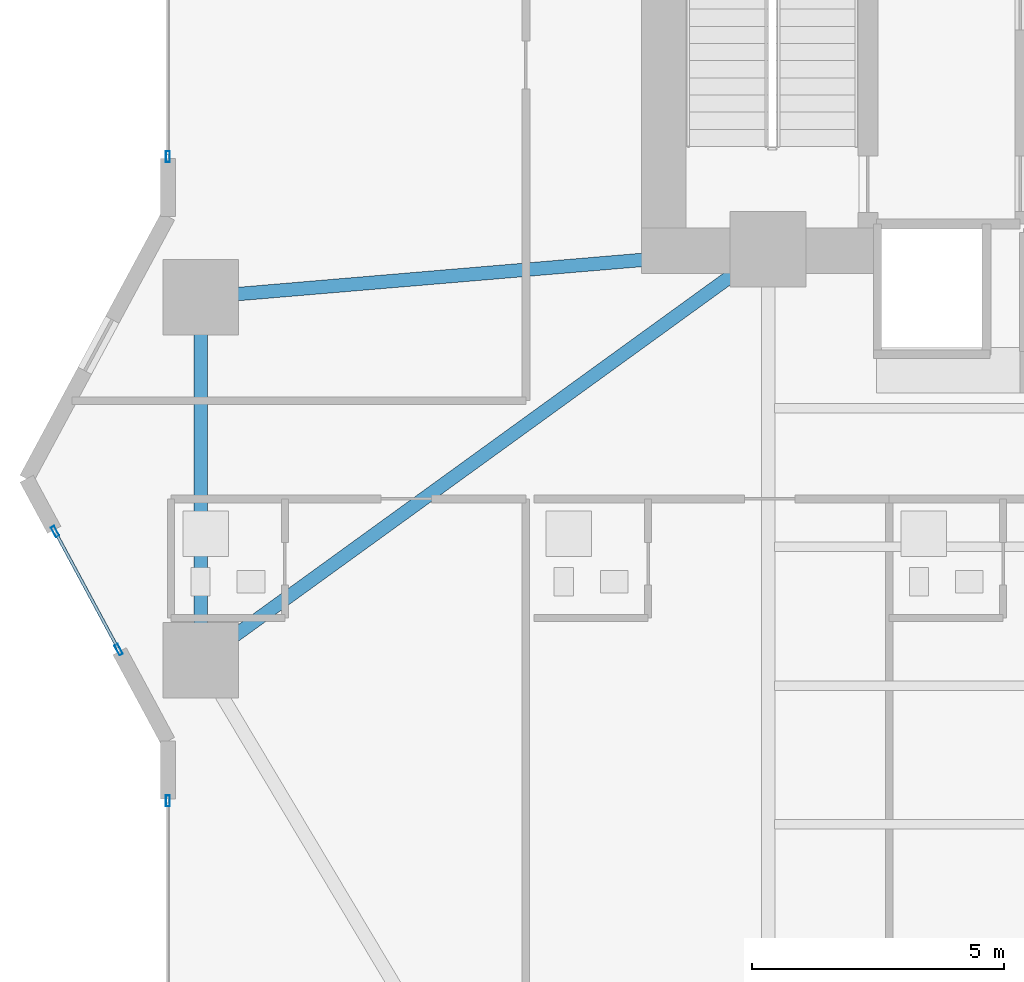
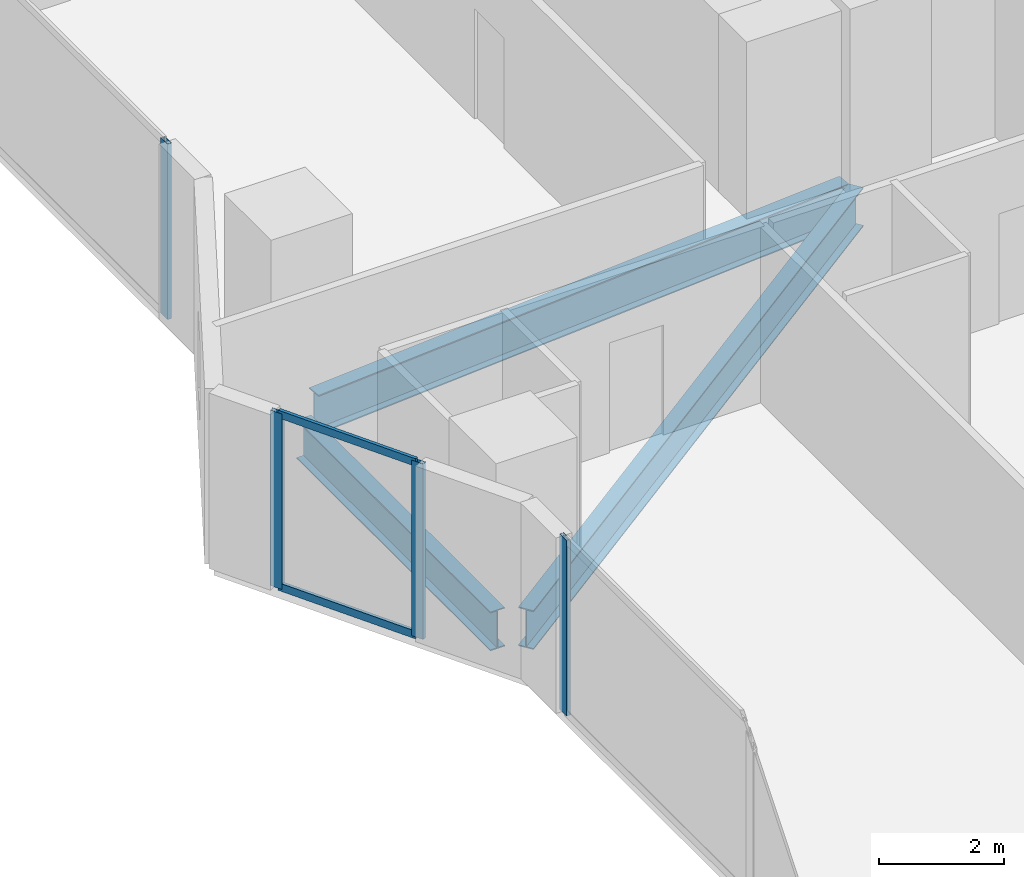
# One storey, part 6 of 28: 6 members, 3 beams, 3 elements without a shape of their own.
"""IFC4 building model written with IfcOpenShell, lengths in metres."""

from ifc_helpers import new_model, si_unit, direction, frame, origin, origin_2d, place, context, subcontext, project, spatial, hollow_rectangle, i_section, extrude, material, layer, layer_set, material_profile, profile_set, type_object, element, aggregate, save


model = new_model("IFC4")

# Units and contexts
model_context = context("Model", 3, precision=1e-05, world=origin(), true_north=direction((0.0, 1.0)))
body_context = subcontext(model_context, "Body", "Model", "MODEL_VIEW")
ifc_project = project(units=[si_unit("LENGTHUNIT", "METRE"), si_unit("AREAUNIT", "SQUARE_METRE"), si_unit("VOLUMEUNIT", "CUBIC_METRE"), si_unit("PLANEANGLEUNIT", "RADIAN"), si_unit("MASSUNIT", "GRAM", prefix="KILO")], contexts=[model_context])

# Site, building, storey
site_placement = place(None, origin())
site = spatial("IfcSite", under=ifc_project, at=site_placement, CompositionType="ELEMENT")
building_placement = place(site_placement, origin())
building = spatial("IfcBuilding", under=site, at=building_placement, Name="Zuhayl Quay Hotel", CompositionType="ELEMENT")
storey_placement = place(building_placement, frame((0.0, 0.0, 56.800048828125)))
storey = spatial("IfcBuildingStorey", under=building, at=storey_placement, Name="L13", CompositionType="ELEMENT", Elevation=56.800048828125)

# Beams
ifc_material_1 = material(Name="Steel ASTM A992 Grade 50", Category="steel")
ifc_material_profile_1 = material_profile(ifc_material_1, i_section(OverallWidth=0.26708984375, OverallDepth=0.761962890625, WebThickness=0.014404296875, FlangeThickness=0.021484375, at=origin_2d()), Name="W30X116")
ifc_profile_set_1 = profile_set([ifc_material_profile_1], Name="Steel ASTM A992 Grade 50")
beam_type = type_object("IfcBeamType", Name="BM_B1_W30X116", PredefinedType="BEAM", material=ifc_profile_set_1)
beam_1_placement = place(storey_placement, frame((-25.050048828125, 3.10009765625, -0.60107421875), z_axis=(0.0, -1.0, 0.0), x_axis=(1.0, 0.0, 0.0)))
element("IfcBeam", 1, at=beam_1_placement, inside=storey, type_object=beam_type, Name="L13 Floor Beam RG_L13_11", PredefinedType="BEAM", context=body_context, shape_type="SweptSolid", body=[
    extrude(i_section(OverallWidth=0.26708984375, OverallDepth=0.761962890625, WebThickness=0.014404296875, FlangeThickness=0.021484375, at=origin_2d()), origin(), (0.0, 0.0, 1.0), 6.2001953125),
])
beam_2_placement = place(storey_placement, frame((-24.64501953125, -3.306640625, -0.60107421875), z_axis=(0.809830244688, 0.586664277751, 0.0), x_axis=(-0.586664277751, 0.809830244688, 0.0)))
element("IfcBeam", 2, at=beam_2_placement, inside=storey, type_object=beam_type, Name="L13 Floor Beam FG_W_L13_1", PredefinedType="BEAM", context=body_context, shape_type="SweptSolid", body=[
    extrude(i_section(OverallWidth=0.26708984375, OverallDepth=0.761962890625, WebThickness=0.014404296875, FlangeThickness=0.021484375, at=origin_2d()), origin(), (0.0, 0.0, 1.0), 12.94189453125),
])
beam_3_placement = place(storey_placement, frame((-24.5517578125, 3.64208984375, -0.60107421875), z_axis=(0.996453145398, 0.084149444594, 0.0), x_axis=(-0.084149444594, 0.996453145398, 0.0)))
element("IfcBeam", 3, at=beam_3_placement, inside=storey, type_object=beam_type, Name="L13 Floor Beam FG_W_L13_2", PredefinedType="BEAM", context=body_context, shape_type="SweptSolid", body=[
    extrude(i_section(OverallWidth=0.26708984375, OverallDepth=0.761962890625, WebThickness=0.014404296875, FlangeThickness=0.021484375, at=origin_2d()), origin(), (0.0, 0.0, 1.0), 10.340087890625),
])

# Curtain wall, member
ifc_material_2 = material(Name="Anodised Aluminium 6063-T6", Category="aluminium")
ifc_layer = layer(ifc_material_2, 0.18994140625, Name="Anodised Aluminium 6063-T6", Category="aluminium")
ifc_layer_set = layer_set([ifc_layer], Name="Anodised Aluminium 6063-T6")
curtain_wall_type = type_object("IfcCurtainWallType", Name="CW_SYS_Z1", PredefinedType="USERDEFINED", material=ifc_layer_set)
curtain_wall_1_placement = place(storey_placement, origin())
curtain_wall_1 = element("IfcCurtainWall", 4, at=curtain_wall_1_placement, inside=storey, type_object=curtain_wall_type, Name="L13 Curtain Wall ENV_L13_E02_CW1", ObjectType="UNITISED CURTAIN WALL", PredefinedType="USERDEFINED")
ifc_material_3 = material(Name="Black-anodised aluminium 6063-T6", Category="aluminium")
ifc_material_profile_2 = material_profile(ifc_material_3, hollow_rectangle(XDim=0.074951171875, YDim=0.219970703125, WallThickness=0.00390625, at=origin_2d()), Name="ALU220X75")
ifc_profile_set_2 = profile_set([ifc_material_profile_2], Name="Black-anodised aluminium 6063-T6")
member_type_1 = type_object("IfcMemberType", Name="MB_CW_MUL_220", PredefinedType="MULLION", material=ifc_profile_set_2)
member_1_placement = place(storey_placement, frame((-25.699951171875, -6.387451171875, 0.0), z_axis=(0.0, 0.0, 1.0), x_axis=(-1.0, 0.0, 0.0)))
member_1 = element("IfcMember", 5, at=member_1_placement, type_object=member_type_1, Name="CW-Z1 mullion 3", PredefinedType="MULLION", context=body_context, shape_type="SweptSolid", body=[
    extrude(hollow_rectangle(XDim=0.074951171875, YDim=0.219970703125, WallThickness=0.00390625, at=origin_2d()), origin(), (0.0, 0.0, 1.0), 3.429931640625),
])
aggregate(curtain_wall_1, [member_1])

# Curtain wall, members
curtain_wall_2_placement = place(storey_placement, origin())
curtain_wall_2 = element("IfcCurtainWall", 6, at=curtain_wall_2_placement, inside=storey, type_object=curtain_wall_type, Name="L13 Curtain Wall ENV_L13_E03_CW1", ObjectType="UNITISED CURTAIN WALL", PredefinedType="USERDEFINED")
member_2_placement = place(storey_placement, frame((-26.67578125, -3.387939453125, 0.0), z_axis=(0.0, 0.0, 1.0), x_axis=(-0.880475795468, -0.474091102632, 0.0)))
member_2 = element("IfcMember", 7, at=member_2_placement, type_object=member_type_1, Name="CW-Z1 mullion 1", PredefinedType="MULLION", context=body_context, shape_type="SweptSolid", body=[
    extrude(hollow_rectangle(XDim=0.074951171875, YDim=0.219970703125, WallThickness=0.00390625, at=origin_2d()), origin(), (0.0, 0.0, 1.0), 3.429931640625),
])
member_3_placement = place(storey_placement, frame((-27.93701171875, -1.04541015625, 0.0), z_axis=(0.0, 0.0, 1.0), x_axis=(-0.880475795468, -0.474091102632, 0.0)))
member_3 = element("IfcMember", 8, at=member_3_placement, type_object=member_type_1, Name="CW-Z1 mullion 2", PredefinedType="MULLION", context=body_context, shape_type="SweptSolid", body=[
    extrude(hollow_rectangle(XDim=0.074951171875, YDim=0.219970703125, WallThickness=0.00390625, at=origin_2d()), origin(), (0.0, 0.0, 1.0), 3.429931640625),
])

# Curtain wall, member
curtain_wall_3_placement = place(storey_placement, origin())
curtain_wall_3 = element("IfcCurtainWall", 9, at=curtain_wall_3_placement, inside=storey, type_object=curtain_wall_type, Name="L13 Curtain Wall ENV_L13_E05_CW1", ObjectType="UNITISED CURTAIN WALL", PredefinedType="USERDEFINED")
member_4_placement = place(storey_placement, frame((-25.699951171875, 6.387451171875, 0.0), z_axis=(0.0, 0.0, 1.0), x_axis=(-1.0, 0.0, 0.0)))
member_4 = element("IfcMember", 10, at=member_4_placement, type_object=member_type_1, Name="CW-Z1 mullion 1", PredefinedType="MULLION", context=body_context, shape_type="SweptSolid", body=[
    extrude(hollow_rectangle(XDim=0.074951171875, YDim=0.219970703125, WallThickness=0.00390625, at=origin_2d()), origin(), (0.0, 0.0, 1.0), 3.429931640625),
])
aggregate(curtain_wall_3, [member_4])

# Member
ifc_material_profile_3 = material_profile(ifc_material_3, hollow_rectangle(XDim=0.06005859375, YDim=0.14990234375, WallThickness=0.00341796875, at=origin_2d()), Name="ALU150X60")
ifc_profile_set_3 = profile_set([ifc_material_profile_3], Name="Black-anodised aluminium 6063-T6")
member_type_2 = type_object("IfcMemberType", Name="MB_CW_TRN_150", PredefinedType="USERDEFINED", material=ifc_profile_set_3)
member_5_placement = place(storey_placement, frame((-26.693603515625, -3.35498046875, 0.030029296875), z_axis=(-0.474054771703, 0.880495356845, 0.0), x_axis=(-0.880495356845, -0.474054771703, 0.0)))
member_5 = element("IfcMember", 11, at=member_5_placement, type_object=member_type_2, Name="CW-Z1 transom 1.1", ObjectType="TRANSOM", PredefinedType="USERDEFINED", context=body_context, shape_type="SweptSolid", body=[
    extrude(hollow_rectangle(XDim=0.06005859375, YDim=0.14990234375, WallThickness=0.00341796875, at=origin_2d()), origin(), (0.0, 0.0, 1.0), 2.585205078125),
])

member_6_placement = place(storey_placement, frame((-26.693603515625, -3.35498046875, 3.39990234375), z_axis=(-0.474054771703, 0.880495356845, 0.0), x_axis=(-0.880495356845, -0.474054771703, 0.0)))
member_6 = element("IfcMember", 12, at=member_6_placement, type_object=member_type_2, Name="CW-Z1 transom 1.2", ObjectType="TRANSOM", PredefinedType="USERDEFINED", context=body_context, shape_type="SweptSolid", body=[
    extrude(hollow_rectangle(XDim=0.06005859375, YDim=0.14990234375, WallThickness=0.00341796875, at=origin_2d()), origin(), (0.0, 0.0, 1.0), 2.585205078125),
])

aggregate(curtain_wall_2, [member_2, member_3, member_5, member_6])

save(model, "model.ifc")
